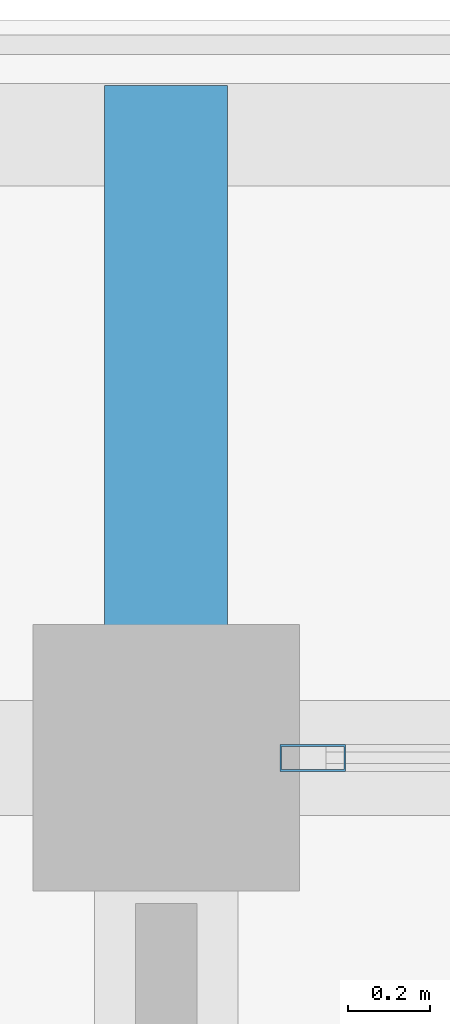
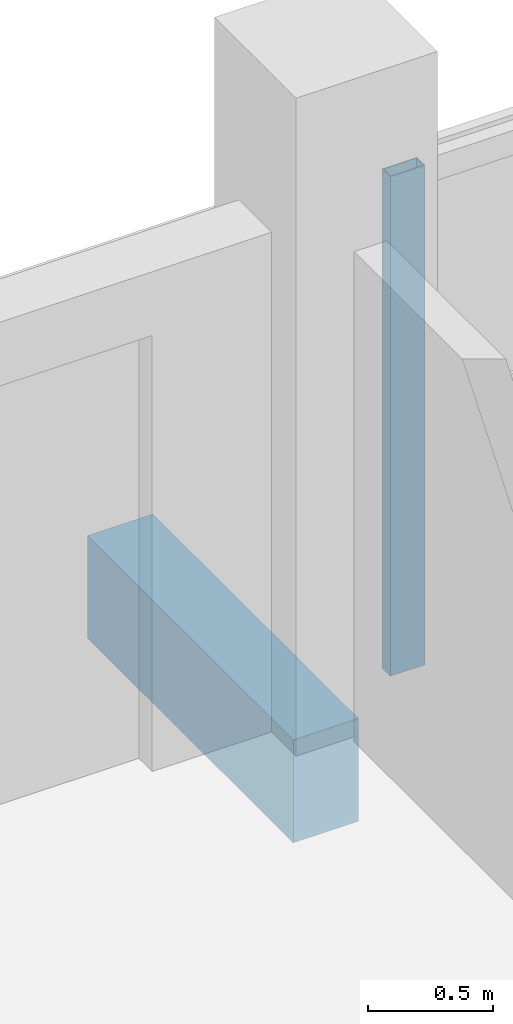
# One storey, part 16 of 78: 1 beam, 1 member, 1 element without a shape of its own.
"""IFC4 building model written with IfcOpenShell, lengths in metres."""

from ifc_helpers import new_model, si_unit, direction, frame, origin, origin_2d, place, context, subcontext, project, spatial, rectangle, hollow_rectangle, extrude, material, material_profile, profile_set, type_object, element, aggregate, save


model = new_model("IFC4")

# Units and contexts
model_context = context("Model", 3, precision=1e-05, world=origin(), true_north=direction((0.0, 1.0)))
body_context = subcontext(model_context, "Body", "Model", "MODEL_VIEW")
ifc_project = project(units=[si_unit("LENGTHUNIT", "METRE"), si_unit("AREAUNIT", "SQUARE_METRE"), si_unit("VOLUMEUNIT", "CUBIC_METRE"), si_unit("PLANEANGLEUNIT", "RADIAN"), si_unit("MASSUNIT", "GRAM", prefix="KILO")], contexts=[model_context])

# Site, building, storey
site_placement = place(None, origin())
site = spatial("IfcSite", under=ifc_project, at=site_placement, CompositionType="ELEMENT")
building_placement = place(site_placement, origin())
building = spatial("IfcBuilding", under=site, at=building_placement, Name="Suanplinth Sawtooth Commons", CompositionType="ELEMENT")
storey_placement = place(building_placement, frame((0.0, 0.0, 15.39990234375)))
storey = spatial("IfcBuildingStorey", under=building, at=storey_placement, Name="L04", CompositionType="ELEMENT", Elevation=15.39990234375)

# Beam
ifc_material_1 = material(Name="Precast concrete C40/50", Category="concrete")
ifc_material_profile_1 = material_profile(ifc_material_1, rectangle(XDim=0.300048828125, YDim=0.5, at=origin_2d()), Name="PC-BM 300x500")
ifc_profile_set_1 = profile_set([ifc_material_profile_1], Name="Precast concrete C40/50")
beam_type = type_object("IfcBeamType", Name="B-07", PredefinedType="BEAM", material=ifc_profile_set_1)
beam_placement = place(storey_placement, frame((57.60009765625, 122.39990234375, -0.429931640625), z_axis=(0.0, 1.0, 0.0), x_axis=(-1.0, 0.0, 0.0)))
element("IfcBeam", 1, at=beam_placement, inside=storey, type_object=beam_type, Name="Balcony Outrigger L04-A-N-8", PredefinedType="BEAM", context=body_context, shape_type="SweptSolid", body=[
    extrude(rectangle(XDim=0.300048828125, YDim=0.5, at=origin_2d()), origin(), (0.0, 0.0, 1.0), 1.64013671875),
])

# Curtain wall, member
ifc_material_2 = material(Name="Anodized aluminium and low-E glazing", Category="aluminium")
curtain_wall_type = type_object("IfcCurtainWallType", Name="CW-06", PredefinedType="USERDEFINED", material=ifc_material_2)
curtain_wall_placement = place(storey_placement, origin())
curtain_wall = element("IfcCurtainWall", 2, at=curtain_wall_placement, inside=storey, type_object=curtain_wall_type, Name="Curtain Wall CW-L04-A-LOUNGE-8", ObjectType="CURTAIN WALL", PredefinedType="USERDEFINED")
ifc_material_3 = material(Name="Anodized aluminium 6063-T6", Category="aluminium")
ifc_material_profile_2 = material_profile(ifc_material_3, hollow_rectangle(XDim=0.06494140625, YDim=0.159912109375, WallThickness=0.00390625, at=origin_2d()), Name="ALU-MUL 65x160")
ifc_profile_set_2 = profile_set([ifc_material_profile_2], Name="Anodized aluminium 6063-T6")
member_type = type_object("IfcMemberType", Name="M-13", PredefinedType="MULLION", material=ifc_profile_set_2)
member_placement = place(storey_placement, frame((57.95751953125, 122.39990234375, 0.0), z_axis=(0.0, 0.0, 1.0), x_axis=(0.0, 1.0, 0.0)))
member = element("IfcMember", 3, at=member_placement, type_object=member_type, Name="CW-06 mullion 1", PredefinedType="MULLION", context=body_context, shape_type="SweptSolid", body=[
    extrude(hollow_rectangle(XDim=0.06494140625, YDim=0.159912109375, WallThickness=0.00390625, at=origin_2d()), origin(), (0.0, 0.0, 1.0), 2.43017578125),
])
aggregate(curtain_wall, [member])

save(model, "model.ifc")
